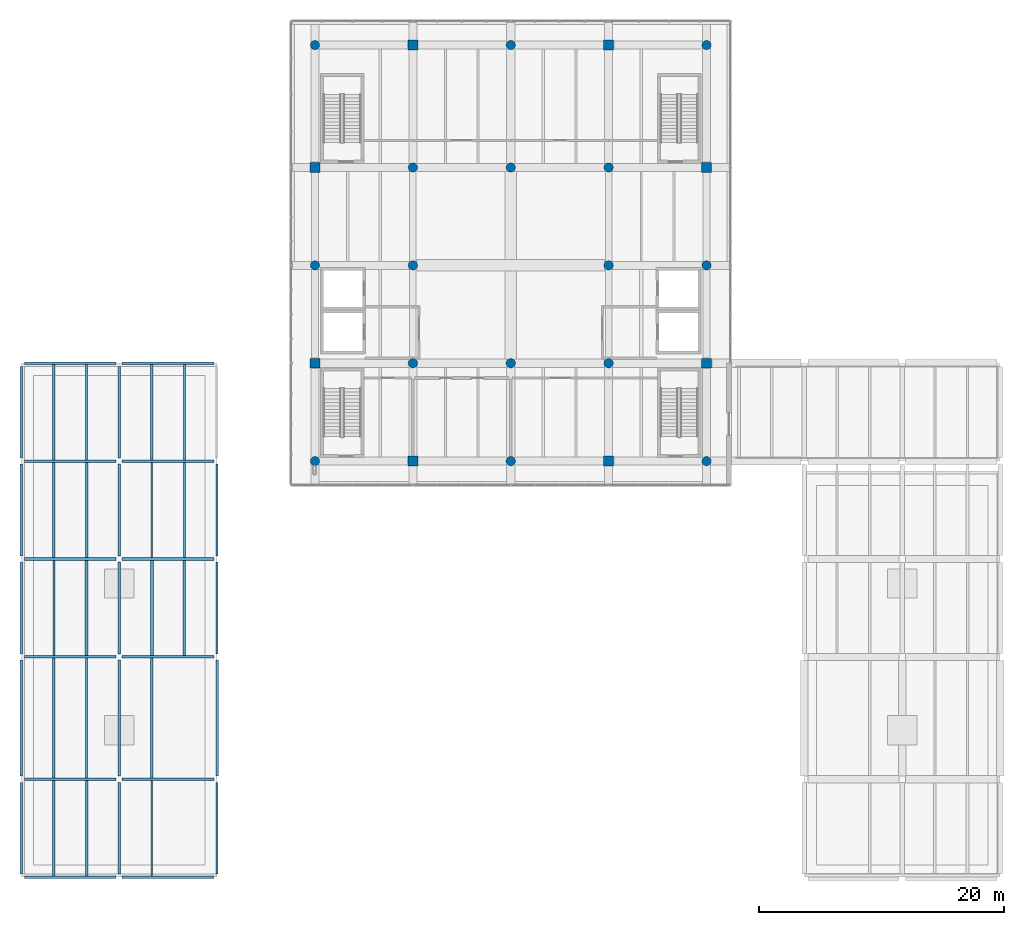
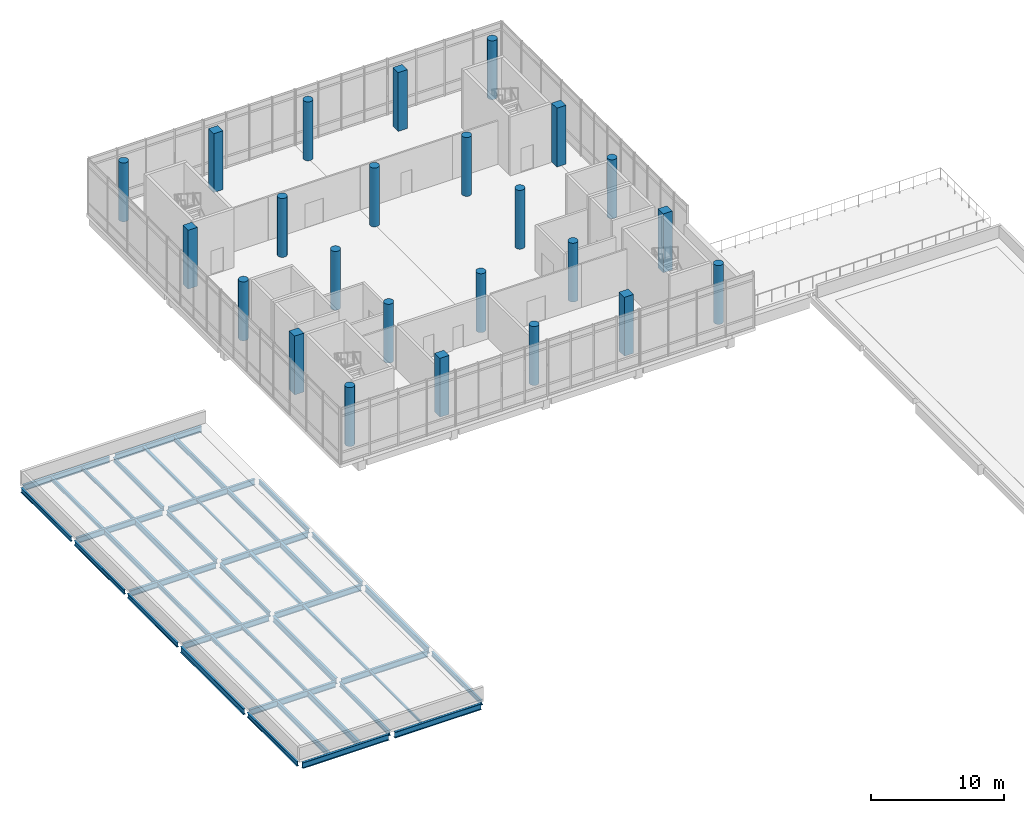
# One storey, part 1 of 20: 44 beams, 24 columns.
"""IFC4 building model written with IfcOpenShell, lengths in metres."""

from ifc_helpers import new_model, si_unit, direction, frame, origin, origin_2d, place, context, subcontext, project, spatial, rectangle, circle, i_section, extrude, material, material_profile, profile_set, type_object, element, save


model = new_model("IFC4")

# Units and contexts
model_context = context("Model", 3, precision=1e-05, world=origin(), true_north=direction((0.0, 1.0)))
body_context = subcontext(model_context, "Body", "Model", "MODEL_VIEW")
ifc_project = project(units=[si_unit("LENGTHUNIT", "METRE"), si_unit("AREAUNIT", "SQUARE_METRE"), si_unit("VOLUMEUNIT", "CUBIC_METRE"), si_unit("PLANEANGLEUNIT", "RADIAN"), si_unit("MASSUNIT", "GRAM", prefix="KILO")], contexts=[model_context])

# Site, building, storey
site_placement = place(None, origin())
site = spatial("IfcSite", under=ifc_project, at=site_placement, CompositionType="ELEMENT")
building_placement = place(site_placement, origin())
building = spatial("IfcBuilding", under=site, at=building_placement, Name="Pecanmere Concourse Central Library", CompositionType="ELEMENT")
storey_placement = place(building_placement, frame((0.0, 0.0, 24.89990234375)))
storey = spatial("IfcBuildingStorey", under=building, at=storey_placement, Name="L06", CompositionType="ELEMENT", Elevation=24.89990234375)

# Columns
ifc_material_1 = material(Name="Concrete C40/50", Category="concrete")
ifc_material_profile_1 = material_profile(ifc_material_1, circle(Radius=0.3798828125, at=origin_2d()), Name="RC D760")
ifc_profile_set_1 = profile_set([ifc_material_profile_1], Name="Concrete C40/50")
column_type_1 = type_object("IfcColumnType", Name="COL_CIRC_760", PredefinedType="COLUMN", material=ifc_profile_set_1)
for number, where, z_axis, x_axis, name in (
    (1, (72.0, 90.0, 0.0), (0.0, 0.0, 1.0), (1.0, 0.0, 0.0), "Column CC-05 L06-001"),
    (2, (72.0, 106.0, 0.0), (0.0, 0.0, 1.0), (1.0, 0.0, 0.0), "Column CC-05 L06-003"),
    (3, (72.0, 124.0, 0.0), (0.0, 0.0, 1.0), (1.0, 0.0, 0.0), "Column CC-05 L06-005"),
    (4, (80.0, 98.0, 0.0), (0.0, 0.0, 1.0), (1.0, 0.0, 0.0), "Column CC-05 L06-007"),
    (5, (80.0, 106.0, 0.0), (0.0, 0.0, 1.0), (1.0, 0.0, 0.0), "Column CC-05 L06-008"),
    (6, (80.0, 114.0, 0.0), (0.0, 0.0, 1.0), (1.0, 0.0, 0.0), "Column CC-05 L06-009"),
    (7, (88.0, 90.0, 0.0), (0.0, 0.0, 1.0), (1.0, 0.0, 0.0), "Column CC-05 L06-011"),
    (8, (88.0, 98.0, 0.0), (0.0, 0.0, 1.0), (1.0, 0.0, 0.0), "Column CC-05 L06-012"),
    (9, (88.0, 114.0, 0.0), (0.0, 0.0, 1.0), (1.0, 0.0, 0.0), "Column CC-05 L06-013"),
    (10, (88.0, 124.0, 0.0), (0.0, 0.0, 1.0), (1.0, 0.0, 0.0), "Column CC-05 L06-014"),
    (11, (96.0, 98.0, 0.0), (0.0, 0.0, 1.0), (1.0, 0.0, 0.0), "Column CC-05 L06-016"),
    (12, (96.0, 106.0, 0.0), (0.0, 0.0, 1.0), (1.0, 0.0, 0.0), "Column CC-05 L06-017"),
    (13, (96.0, 114.0, 0.0), (0.0, 0.0, 1.0), (1.0, 0.0, 0.0), "Column CC-05 L06-018"),
    (14, (104.0, 90.0, 0.0), (0.0, 0.0, 1.0), (1.0, 0.0, 0.0), "Column CC-05 L06-020"),
    (15, (104.0, 106.0, 0.0), (0.0, 0.0, 1.0), (1.0, 0.0, 0.0), "Column CC-05 L06-022"),
    (16, (104.0, 124.0, 0.0), (0.0, 0.0, 1.0), (1.0, 0.0, 0.0), "Column CC-05 L06-024"),
):
    element("IfcColumn", number, at=place(storey_placement, frame(where, z_axis=z_axis, x_axis=x_axis)), inside=storey, type_object=column_type_1, Name=name, PredefinedType="COLUMN", context=body_context, shape_type="SweptSolid", body=[
        extrude(circle(Radius=0.3798828125, at=origin_2d()), origin(), (0.0, 0.0, 1.0), 5.400146484375),
    ])
ifc_material_2 = material(Name="Concrete C40/50", Category="concrete")
ifc_material_profile_2 = material_profile(ifc_material_2, rectangle(XDim=0.800048828125, YDim=0.800048828125, at=origin_2d()), Name="RC 800x800")
ifc_profile_set_2 = profile_set([ifc_material_profile_2], Name="Concrete C40/50")
column_type_2 = type_object("IfcColumnType", Name="COL_RC_800x800", PredefinedType="COLUMN", material=ifc_profile_set_2)
for number, where, z_axis, x_axis, name in (
    (17, (72.0, 98.0, 0.0), (0.0, 0.0, 1.0), (1.0, 0.0, 0.0), "Column C-04 L06-002"),
    (18, (72.0, 114.0, 0.0), (0.0, 0.0, 1.0), (1.0, 0.0, 0.0), "Column C-04 L06-004"),
    (19, (80.0, 90.0, 0.0), (0.0, 0.0, 1.0), (1.0, 0.0, 0.0), "Column C-04 L06-006"),
    (20, (80.0, 124.0, 0.0), (0.0, 0.0, 1.0), (1.0, 0.0, 0.0), "Column C-04 L06-010"),
    (21, (96.0, 90.0, 0.0), (0.0, 0.0, 1.0), (1.0, 0.0, 0.0), "Column C-04 L06-015"),
    (22, (96.0, 124.0, 0.0), (0.0, 0.0, 1.0), (1.0, 0.0, 0.0), "Column C-04 L06-019"),
    (23, (104.0, 98.0, 0.0), (0.0, 0.0, 1.0), (1.0, 0.0, 0.0), "Column C-04 L06-021"),
    (24, (104.0, 114.0, 0.0), (0.0, 0.0, 1.0), (1.0, 0.0, 0.0), "Column C-04 L06-023"),
):
    element("IfcColumn", number, at=place(storey_placement, frame(where, z_axis=z_axis, x_axis=x_axis)), inside=storey, type_object=column_type_2, Name=name, PredefinedType="COLUMN", context=body_context, shape_type="SweptSolid", body=[
        extrude(rectangle(XDim=0.800048828125, YDim=0.800048828125, at=origin_2d()), origin(), (0.0, 0.0, 1.0), 5.400146484375),
    ])

# Beams
ifc_material_3 = material(Name="Structural steel ASTM A992 Grade 50", Category="steel")
ifc_material_profile_3 = material_profile(ifc_material_3, i_section(OverallWidth=0.152099609375, OverallDepth=0.152099609375, WebThickness=0.005859375, FlangeThickness=0.006591796875, at=origin_2d()), Name="W150x22.5")
ifc_profile_set_3 = profile_set([ifc_material_profile_3], Name="Structural steel ASTM A992 Grade 50")
beam_type_1 = type_object("IfcBeamType", Name="SBM_W150x22", PredefinedType="LINTEL", material=ifc_profile_set_3)
for number, where, z_axis, x_axis, name in (
    (25, (58.666748046875, 56.10546875, -0.3759765625), (0.0, 1.0, 0.0), (-1.0, 0.0, 0.0), "Secondary Floor Joist L06-2740"),
    (26, (58.666748046875, 82.10546875, -0.3759765625), (0.0, 1.0, 0.0), (-1.0, 0.0, 0.0), "Secondary Floor Joist L06-2744"),
):
    element("IfcBeam", number, at=place(storey_placement, frame(where, z_axis=z_axis, x_axis=x_axis)), inside=storey, type_object=beam_type_1, Name=name, PredefinedType="LINTEL", context=body_context, shape_type="SweptSolid", body=[
        extrude(i_section(OverallWidth=0.152099609375, OverallDepth=0.152099609375, WebThickness=0.005859375, FlangeThickness=0.006591796875, at=origin_2d()), origin(), (0.0, 0.0, 1.0), 7.7890625),
    ])
ifc_material_4 = material(Name="Structural steel ASTM A992 Grade 50", Category="steel")
ifc_material_profile_4 = material_profile(ifc_material_4, i_section(OverallWidth=0.2041015625, OverallDepth=0.2060546875, WebThickness=0.0078125, FlangeThickness=0.0126953125, at=origin_2d()), Name="W200x52")
ifc_profile_set_4 = profile_set([ifc_material_profile_4], Name="Structural steel ASTM A992 Grade 50")
beam_type_2 = type_object("IfcBeamType", Name="SBM_W200x52", PredefinedType="JOIST", material=ifc_profile_set_4)
beam_1_placement = place(storey_placement, frame((58.666748046875, 64.10546875, -0.40283203125), z_axis=(0.0, 1.0, 0.0), x_axis=(-1.0, 0.0, 0.0)))
element("IfcBeam", 27, at=beam_1_placement, inside=storey, type_object=beam_type_2, Name="Secondary Floor Joist L06-2741", PredefinedType="JOIST", context=body_context, shape_type="SweptSolid", body=[
    extrude(i_section(OverallWidth=0.2041015625, OverallDepth=0.2060546875, WebThickness=0.0078125, FlangeThickness=0.0126953125, at=origin_2d()), origin(), (0.0, 0.0, 1.0), 9.7890625),
])
beam_2_placement = place(storey_placement, frame((58.666748046875, 90.10546875, -0.40283203125), z_axis=(0.0, 1.0, 0.0), x_axis=(-1.0, 0.0, 0.0)))
element("IfcBeam", 28, at=beam_2_placement, inside=storey, type_object=beam_type_2, Name="Secondary Floor Joist L06-2746", PredefinedType="JOIST", context=body_context, shape_type="SweptSolid", body=[
    extrude(i_section(OverallWidth=0.2041015625, OverallDepth=0.2060546875, WebThickness=0.0078125, FlangeThickness=0.0126953125, at=origin_2d()), origin(), (0.0, 0.0, 1.0), 7.7890625),
])
ifc_material_5 = material(Name="Structural steel ASTM A992 Grade 50", Category="steel")
ifc_material_profile_5 = material_profile(ifc_material_5, i_section(OverallWidth=0.25390625, OverallDepth=0.2529296875, WebThickness=0.008544921875, FlangeThickness=0.01416015625, at=origin_2d()), Name="W250x73")
ifc_profile_set_5 = profile_set([ifc_material_profile_5], Name="Structural steel ASTM A992 Grade 50")
beam_type_3 = type_object("IfcBeamType", Name="SBM_W250x73", PredefinedType="BEAM", material=ifc_profile_set_5)
beam_3_placement = place(storey_placement, frame((58.666748046875, 74.10546875, -0.426513671875), z_axis=(0.0, 1.0, 0.0), x_axis=(-1.0, 0.0, 0.0)))
element("IfcBeam", 29, at=beam_3_placement, inside=storey, type_object=beam_type_3, Name="Secondary Floor Joist L06-2742", PredefinedType="BEAM", context=body_context, shape_type="SweptSolid", body=[
    extrude(i_section(OverallWidth=0.25390625, OverallDepth=0.2529296875, WebThickness=0.008544921875, FlangeThickness=0.01416015625, at=origin_2d()), origin(), (0.0, 0.0, 1.0), 7.7890625),
])
ifc_material_6 = material(Name="Structural steel ASTM A992 Grade 50", Category="steel")
ifc_material_profile_6 = material_profile(ifc_material_6, i_section(OverallWidth=0.1669921875, OverallDepth=0.31689453125, WebThickness=0.007568359375, FlangeThickness=0.01318359375, at=origin_2d()), Name="W310x52")
ifc_profile_set_6 = profile_set([ifc_material_profile_6], Name="Structural steel ASTM A992 Grade 50")
beam_type_4 = type_object("IfcBeamType", Name="SBM_W310x52", PredefinedType="JOIST", material=ifc_profile_set_6)
beam_4_placement = place(storey_placement, frame((53.333251953125, 64.10546875, -0.45849609375), z_axis=(0.0, 1.0, 0.0), x_axis=(-1.0, 0.0, 0.0)))
element("IfcBeam", 30, at=beam_4_placement, inside=storey, type_object=beam_type_4, Name="Secondary Floor Joist L06-2733", PredefinedType="JOIST", context=body_context, shape_type="SweptSolid", body=[
    extrude(i_section(OverallWidth=0.1669921875, OverallDepth=0.31689453125, WebThickness=0.007568359375, FlangeThickness=0.01318359375, at=origin_2d()), origin(), (0.0, 0.0, 1.0), 9.7890625),
])
beam_5_placement = place(storey_placement, frame((53.333251953125, 90.10546875, -0.45849609375), z_axis=(0.0, 1.0, 0.0), x_axis=(-1.0, 0.0, 0.0)))
element("IfcBeam", 31, at=beam_5_placement, inside=storey, type_object=beam_type_4, Name="Secondary Floor Joist L06-2739", PredefinedType="JOIST", context=body_context, shape_type="SweptSolid", body=[
    extrude(i_section(OverallWidth=0.1669921875, OverallDepth=0.31689453125, WebThickness=0.007568359375, FlangeThickness=0.01318359375, at=origin_2d()), origin(), (0.0, 0.0, 1.0), 7.7890625),
])
ifc_material_7 = material(Name="Structural steel ASTM A992 Grade 50", Category="steel")
ifc_material_profile_7 = material_profile(ifc_material_7, i_section(OverallWidth=0.202880859375, OverallDepth=0.346923828125, WebThickness=0.0078125, FlangeThickness=0.013427734375, at=origin_2d()), Name="W360x64")
ifc_profile_set_7 = profile_set([ifc_material_profile_7], Name="Structural steel ASTM A992 Grade 50")
beam_type_5 = type_object("IfcBeamType", Name="SBM_W360x64", PredefinedType="JOIST", material=ifc_profile_set_7)
beam_6_placement = place(storey_placement, frame((50.666748046875, 64.10546875, -0.473388671875), z_axis=(0.0, 1.0, 0.0), x_axis=(-1.0, 0.0, 0.0)))
element("IfcBeam", 32, at=beam_6_placement, inside=storey, type_object=beam_type_5, Name="Secondary Floor Joist L06-2732", PredefinedType="JOIST", context=body_context, shape_type="SweptSolid", body=[
    extrude(i_section(OverallWidth=0.202880859375, OverallDepth=0.346923828125, WebThickness=0.0078125, FlangeThickness=0.013427734375, at=origin_2d()), origin(), (0.0, 0.0, 1.0), 9.7890625),
])
beam_7_placement = place(storey_placement, frame((50.666748046875, 90.10546875, -0.473388671875), z_axis=(0.0, 1.0, 0.0), x_axis=(-1.0, 0.0, 0.0)))
element("IfcBeam", 33, at=beam_7_placement, inside=storey, type_object=beam_type_5, Name="Secondary Floor Joist L06-2738", PredefinedType="JOIST", context=body_context, shape_type="SweptSolid", body=[
    extrude(i_section(OverallWidth=0.202880859375, OverallDepth=0.346923828125, WebThickness=0.0078125, FlangeThickness=0.013427734375, at=origin_2d()), origin(), (0.0, 0.0, 1.0), 7.7890625),
])
ifc_material_8 = material(Name="Structural steel ASTM A992 Grade 50", Category="steel")
ifc_material_profile_8 = material_profile(ifc_material_8, i_section(OverallWidth=0.25390625, OverallDepth=0.35302734375, WebThickness=0.009521484375, FlangeThickness=0.016357421875, at=origin_2d()), Name="W360x91")
ifc_profile_set_8 = profile_set([ifc_material_profile_8], Name="Structural steel ASTM A992 Grade 50")
beam_type_6 = type_object("IfcBeamType", Name="SBM_W360x91", PredefinedType="BEAM", material=ifc_profile_set_8)
beam_8_placement = place(storey_placement, frame((53.333251953125, 74.10546875, -0.476318359375), z_axis=(0.0, 1.0, 0.0), x_axis=(-1.0, 0.0, 0.0)))
element("IfcBeam", 34, at=beam_8_placement, inside=storey, type_object=beam_type_6, Name="Secondary Floor Joist L06-2735", PredefinedType="BEAM", context=body_context, shape_type="SweptSolid", body=[
    extrude(i_section(OverallWidth=0.25390625, OverallDepth=0.35302734375, WebThickness=0.009521484375, FlangeThickness=0.016357421875, at=origin_2d()), origin(), (0.0, 0.0, 1.0), 7.7890625),
])
ifc_material_9 = material(Name="Structural steel ASTM A992 Grade 50", Category="steel")
ifc_material_profile_9 = material_profile(ifc_material_9, i_section(OverallWidth=0.177978515625, OverallDepth=0.406982421875, WebThickness=0.0078125, FlangeThickness=0.0126953125, at=origin_2d()), Name="W410x60")
ifc_profile_set_9 = profile_set([ifc_material_profile_9], Name="Structural steel ASTM A992 Grade 50")
beam_type_7 = type_object("IfcBeamType", Name="SBM_W410x60", PredefinedType="JOIST", material=ifc_profile_set_9)
beam_9_placement = place(storey_placement, frame((61.333251953125, 82.10546875, -0.50341796875), z_axis=(0.0, 1.0, 0.0), x_axis=(-1.0, 0.0, 0.0)))
element("IfcBeam", 35, at=beam_9_placement, inside=storey, type_object=beam_type_7, Name="Secondary Floor Joist L06-2745", PredefinedType="JOIST", context=body_context, shape_type="SweptSolid", body=[
    extrude(i_section(OverallWidth=0.177978515625, OverallDepth=0.406982421875, WebThickness=0.0078125, FlangeThickness=0.0126953125, at=origin_2d()), origin(), (0.0, 0.0, 1.0), 7.7890625),
])
ifc_material_10 = material(Name="Structural steel ASTM A992 Grade 50", Category="steel")
ifc_material_profile_10 = material_profile(ifc_material_10, i_section(OverallWidth=0.180908203125, OverallDepth=0.4169921875, WebThickness=0.010986328125, FlangeThickness=0.018310546875, at=origin_2d()), Name="W410x85")
ifc_profile_set_10 = profile_set([ifc_material_profile_10], Name="Structural steel ASTM A992 Grade 50")
beam_type_8 = type_object("IfcBeamType", Name="SBM_W410x85", PredefinedType="BEAM", material=ifc_profile_set_10)
for number, where, z_axis, x_axis, name in (
    (36, (48.0, 56.25, -0.50830078125), (0.0, 1.0, 0.0), (-1.0, 0.0, 0.0), "Primary Girder Y L06-2669"),
    (37, (48.0, 74.25, -0.50830078125), (0.0, 1.0, 0.0), (-1.0, 0.0, 0.0), "Primary Girder Y L06-2671"),
    (38, (48.0, 82.25, -0.50830078125), (0.0, 1.0, 0.0), (-1.0, 0.0, 0.0), "Primary Girder Y L06-2672"),
    (39, (48.0, 90.25, -0.50830078125), (0.0, 1.0, 0.0), (-1.0, 0.0, 0.0), "Primary Girder Y L06-2673"),
    (40, (56.0, 56.25, -0.50830078125), (0.0, 1.0, 0.0), (-1.0, 0.0, 0.0), "Primary Girder Y L06-2674"),
    (41, (56.0, 74.25, -0.50830078125), (0.0, 1.0, 0.0), (-1.0, 0.0, 0.0), "Primary Girder Y L06-2676"),
    (42, (56.0, 82.25, -0.50830078125), (0.0, 1.0, 0.0), (-1.0, 0.0, 0.0), "Primary Girder Y L06-2677"),
    (43, (56.0, 90.25, -0.50830078125), (0.0, 1.0, 0.0), (-1.0, 0.0, 0.0), "Primary Girder Y L06-2678"),
    (44, (64.0, 56.25, -0.50830078125), (0.0, 1.0, 0.0), (-1.0, 0.0, 0.0), "Primary Girder Y L06-2679"),
    (45, (64.0, 74.25, -0.50830078125), (0.0, 1.0, 0.0), (-1.0, 0.0, 0.0), "Primary Girder Y L06-2681"),
    (46, (64.0, 82.25, -0.50830078125), (0.0, 1.0, 0.0), (-1.0, 0.0, 0.0), "Primary Girder Y L06-2682"),
):
    element("IfcBeam", number, at=place(storey_placement, frame(where, z_axis=z_axis, x_axis=x_axis)), inside=storey, type_object=beam_type_8, Name=name, PredefinedType="BEAM", context=body_context, shape_type="SweptSolid", body=[
        extrude(i_section(OverallWidth=0.180908203125, OverallDepth=0.4169921875, WebThickness=0.010986328125, FlangeThickness=0.018310546875, at=origin_2d()), origin(), (0.0, 0.0, 1.0), 7.5),
    ])
beam_10_placement = place(storey_placement, frame((50.666748046875, 74.10546875, -0.50830078125), z_axis=(0.0, 1.0, 0.0), x_axis=(-1.0, 0.0, 0.0)))
element("IfcBeam", 47, at=beam_10_placement, inside=storey, type_object=beam_type_8, Name="Secondary Floor Joist L06-2734", PredefinedType="BEAM", context=body_context, shape_type="SweptSolid", body=[
    extrude(i_section(OverallWidth=0.180908203125, OverallDepth=0.4169921875, WebThickness=0.010986328125, FlangeThickness=0.018310546875, at=origin_2d()), origin(), (0.0, 0.0, 1.0), 7.7890625),
])
ifc_material_11 = material(Name="Structural steel ASTM A992 Grade 50", Category="steel")
ifc_material_profile_11 = material_profile(ifc_material_11, i_section(OverallWidth=0.194091796875, OverallDepth=0.468994140625, WebThickness=0.0126953125, FlangeThickness=0.0205078125, at=origin_2d()), Name="W460x106")
ifc_profile_set_11 = profile_set([ifc_material_profile_11], Name="Structural steel ASTM A992 Grade 50")
beam_type_9 = type_object("IfcBeamType", Name="SBM_W460x106", PredefinedType="USERDEFINED", material=ifc_profile_set_11)
for number, where, z_axis, x_axis, name in (
    (48, (50.666748046875, 56.10546875, -0.534423828125), (0.0, 1.0, 0.0), (-1.0, 0.0, 0.0), "Secondary Floor Joist L06-2730"),
    (49, (50.666748046875, 82.10546875, -0.534423828125), (0.0, 1.0, 0.0), (-1.0, 0.0, 0.0), "Secondary Floor Joist L06-2736"),
):
    element("IfcBeam", number, at=place(storey_placement, frame(where, z_axis=z_axis, x_axis=x_axis)), inside=storey, type_object=beam_type_9, Name=name, ObjectType="GIRDER", PredefinedType="USERDEFINED", context=body_context, shape_type="SweptSolid", body=[
        extrude(i_section(OverallWidth=0.194091796875, OverallDepth=0.468994140625, WebThickness=0.0126953125, FlangeThickness=0.0205078125, at=origin_2d()), origin(), (0.0, 0.0, 1.0), 7.7890625),
    ])
ifc_material_12 = material(Name="Structural steel ASTM A992 Grade 50", Category="steel")
ifc_material_profile_12 = material_profile(ifc_material_12, i_section(OverallWidth=0.18994140625, OverallDepth=0.45703125, WebThickness=0.009033203125, FlangeThickness=0.014404296875, at=origin_2d()), Name="W460x74")
ifc_profile_set_12 = profile_set([ifc_material_profile_12], Name="Structural steel ASTM A992 Grade 50")
beam_type_10 = type_object("IfcBeamType", Name="SBM_W460x74", PredefinedType="BEAM", material=ifc_profile_set_12)
beam_11_placement = place(storey_placement, frame((61.333251953125, 90.10546875, -0.5283203125), z_axis=(0.0, 1.0, 0.0), x_axis=(-1.0, 0.0, 0.0)))
element("IfcBeam", 50, at=beam_11_placement, inside=storey, type_object=beam_type_10, Name="Secondary Floor Joist L06-2747", PredefinedType="BEAM", context=body_context, shape_type="SweptSolid", body=[
    extrude(i_section(OverallWidth=0.18994140625, OverallDepth=0.45703125, WebThickness=0.009033203125, FlangeThickness=0.014404296875, at=origin_2d()), origin(), (0.0, 0.0, 1.0), 7.7890625),
])
ifc_material_13 = material(Name="Structural steel ASTM A992 Grade 50", Category="steel")
ifc_material_profile_13 = material_profile(ifc_material_13, i_section(OverallWidth=0.2109375, OverallDepth=0.5390625, WebThickness=0.01171875, FlangeThickness=0.018798828125, at=origin_2d()), Name="W530x109")
ifc_profile_set_13 = profile_set([ifc_material_profile_13], Name="Structural steel ASTM A992 Grade 50")
beam_type_11 = type_object("IfcBeamType", Name="SBM_W530x109", PredefinedType="USERDEFINED", material=ifc_profile_set_13)
for number, where, z_axis, x_axis, name in (
    (51, (48.25, 56.0, -0.5693359375), (1.0, 0.0, 0.0), (0.0, 1.0, 0.0), "Primary Girder X L06-2624"),
    (52, (56.25, 56.0, -0.5693359375), (1.0, 0.0, 0.0), (0.0, 1.0, 0.0), "Primary Girder X L06-2625"),
    (53, (48.25, 64.0, -0.5693359375), (1.0, 0.0, 0.0), (0.0, 1.0, 0.0), "Primary Girder X L06-2628"),
    (54, (56.25, 64.0, -0.5693359375), (1.0, 0.0, 0.0), (0.0, 1.0, 0.0), "Primary Girder X L06-2629"),
    (55, (48.25, 74.0, -0.5693359375), (1.0, 0.0, 0.0), (0.0, 1.0, 0.0), "Primary Girder X L06-2632"),
    (56, (56.25, 74.0, -0.5693359375), (1.0, 0.0, 0.0), (0.0, 1.0, 0.0), "Primary Girder X L06-2633"),
    (57, (48.25, 82.0, -0.5693359375), (1.0, 0.0, 0.0), (0.0, 1.0, 0.0), "Primary Girder X L06-2636"),
    (58, (56.25, 82.0, -0.5693359375), (1.0, 0.0, 0.0), (0.0, 1.0, 0.0), "Primary Girder X L06-2637"),
    (59, (48.25, 90.0, -0.5693359375), (1.0, 0.0, 0.0), (0.0, 1.0, 0.0), "Primary Girder X L06-2640"),
    (60, (56.25, 90.0, -0.5693359375), (1.0, 0.0, 0.0), (0.0, 1.0, 0.0), "Primary Girder X L06-2641"),
    (61, (48.25, 98.0, -0.5693359375), (1.0, 0.0, 0.0), (0.0, 1.0, 0.0), "Primary Girder X L06-2649"),
    (62, (56.25, 98.0, -0.5693359375), (1.0, 0.0, 0.0), (0.0, 1.0, 0.0), "Primary Girder X L06-2650"),
):
    element("IfcBeam", number, at=place(storey_placement, frame(where, z_axis=z_axis, x_axis=x_axis)), inside=storey, type_object=beam_type_11, Name=name, ObjectType="GIRDER", PredefinedType="USERDEFINED", context=body_context, shape_type="SweptSolid", body=[
        extrude(i_section(OverallWidth=0.2109375, OverallDepth=0.5390625, WebThickness=0.01171875, FlangeThickness=0.018798828125, at=origin_2d()), origin(), (0.0, 0.0, 1.0), 7.5),
    ])
for number, where, z_axis, x_axis, name in (
    (63, (48.0, 64.25, -0.5693359375), (0.0, 1.0, 0.0), (-1.0, 0.0, 0.0), "Primary Girder Y L06-2670"),
    (64, (56.0, 64.25, -0.5693359375), (0.0, 1.0, 0.0), (-1.0, 0.0, 0.0), "Primary Girder Y L06-2675"),
    (65, (64.0, 64.25, -0.5693359375), (0.0, 1.0, 0.0), (-1.0, 0.0, 0.0), "Primary Girder Y L06-2680"),
):
    element("IfcBeam", number, at=place(storey_placement, frame(where, z_axis=z_axis, x_axis=x_axis)), inside=storey, type_object=beam_type_11, Name=name, ObjectType="GIRDER", PredefinedType="USERDEFINED", context=body_context, shape_type="SweptSolid", body=[
        extrude(i_section(OverallWidth=0.2109375, OverallDepth=0.5390625, WebThickness=0.01171875, FlangeThickness=0.018798828125, at=origin_2d()), origin(), (0.0, 0.0, 1.0), 9.5),
    ])
for number, where, z_axis, x_axis, name in (
    (66, (53.333251953125, 56.10546875, -0.5693359375), (0.0, 1.0, 0.0), (-1.0, 0.0, 0.0), "Secondary Floor Joist L06-2731"),
    (67, (53.333251953125, 82.10546875, -0.5693359375), (0.0, 1.0, 0.0), (-1.0, 0.0, 0.0), "Secondary Floor Joist L06-2737"),
):
    element("IfcBeam", number, at=place(storey_placement, frame(where, z_axis=z_axis, x_axis=x_axis)), inside=storey, type_object=beam_type_11, Name=name, ObjectType="GIRDER", PredefinedType="USERDEFINED", context=body_context, shape_type="SweptSolid", body=[
        extrude(i_section(OverallWidth=0.2109375, OverallDepth=0.5390625, WebThickness=0.01171875, FlangeThickness=0.018798828125, at=origin_2d()), origin(), (0.0, 0.0, 1.0), 7.7890625),
    ])
ifc_material_14 = material(Name="Structural steel ASTM A992 Grade 50", Category="steel")
ifc_material_profile_14 = material_profile(ifc_material_14, i_section(OverallWidth=0.208984375, OverallDepth=0.532958984375, WebThickness=0.01025390625, FlangeThickness=0.015625, at=origin_2d()), Name="W530x92")
ifc_profile_set_14 = profile_set([ifc_material_profile_14], Name="Structural steel ASTM A992 Grade 50")
beam_type_12 = type_object("IfcBeamType", Name="SBM_W530x92", PredefinedType="BEAM", material=ifc_profile_set_14)
beam_12_placement = place(storey_placement, frame((61.333251953125, 74.10546875, -0.56640625), z_axis=(0.0, 1.0, 0.0), x_axis=(-1.0, 0.0, 0.0)))
element("IfcBeam", 68, at=beam_12_placement, inside=storey, type_object=beam_type_12, Name="Secondary Floor Joist L06-2743", PredefinedType="BEAM", context=body_context, shape_type="SweptSolid", body=[
    extrude(i_section(OverallWidth=0.208984375, OverallDepth=0.532958984375, WebThickness=0.01025390625, FlangeThickness=0.015625, at=origin_2d()), origin(), (0.0, 0.0, 1.0), 7.7890625),
])

save(model, "model.ifc")
